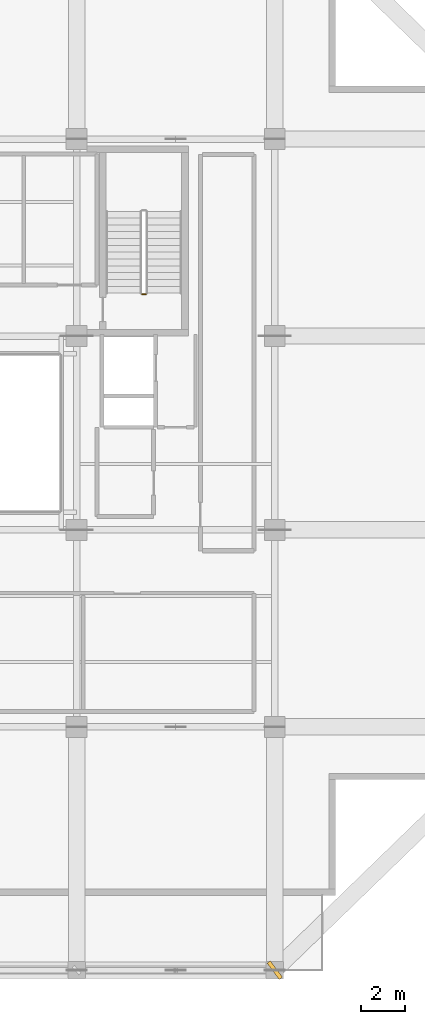
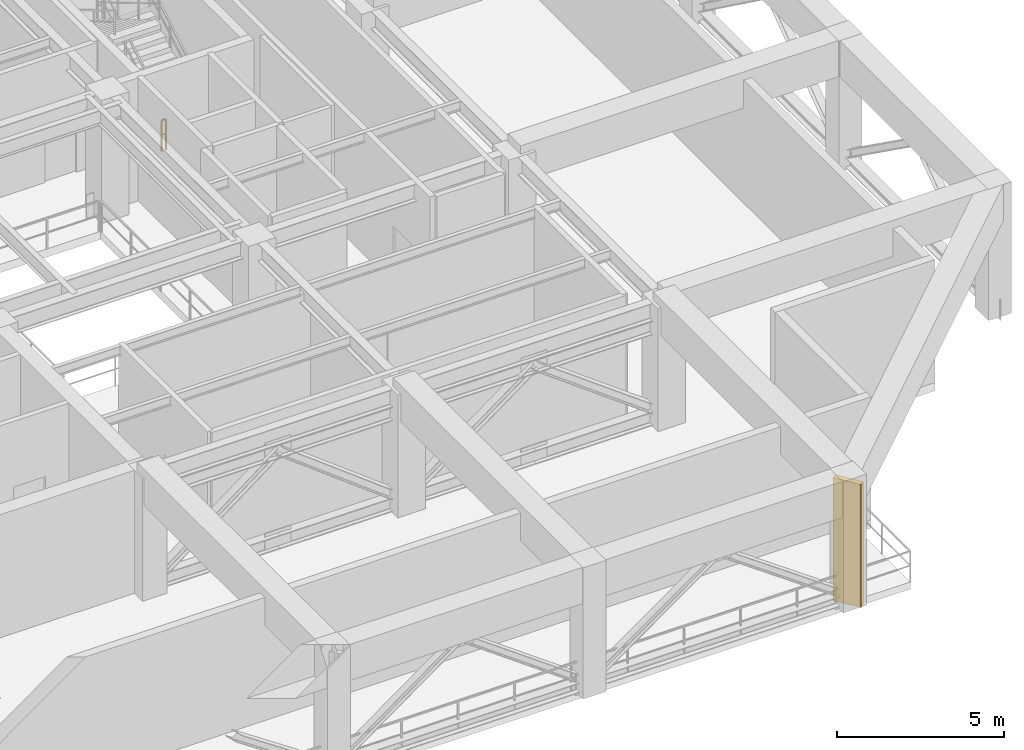
# One storey, part 9 of 10: 1 railing, 1 shading device.
"""IFC4 building model written with IfcOpenShell, lengths in metres."""

from ifc_helpers import new_model, si_unit, direction, frame, origin, origin_2d, place, context, subcontext, project, spatial, rectangle, extrude, material, type_object, element, save


model = new_model("IFC4")

# Units and contexts
model_context = context("Model", 3, precision=1e-05, world=origin(), true_north=direction((0.0, 1.0)))
body_context = subcontext(model_context, "Body", "Model", "MODEL_VIEW")
ifc_project = project(units=[si_unit("LENGTHUNIT", "METRE"), si_unit("AREAUNIT", "SQUARE_METRE"), si_unit("VOLUMEUNIT", "CUBIC_METRE"), si_unit("PLANEANGLEUNIT", "RADIAN"), si_unit("MASSUNIT", "GRAM", prefix="KILO")], contexts=[model_context])

# Site, building, storey
site_placement = place(None, origin())
site = spatial("IfcSite", under=ifc_project, at=site_placement, CompositionType="ELEMENT")
building_placement = place(site_placement, origin())
building = spatial("IfcBuilding", under=site, at=building_placement, Name="Kundavana Baori Tower", CompositionType="ELEMENT")
storey_placement = place(building_placement, frame((0.0, 0.0, 204.10009765625)))
storey = spatial("IfcBuildingStorey", under=building, at=storey_placement, Name="L50", CompositionType="ELEMENT", Elevation=204.10009765625)

# Railing
ifc_material_1 = material(Name="Architectural Patinated Bronze Metalwork")
railing_type = type_object("IfcRailingType", Name="RL-GRD-1150", PredefinedType="GUARDRAIL", material=ifc_material_1)
railing_placement = place(storey_placement, frame((36.929931640625, 34.89990234375, 0.0)))
element("IfcRailing", 1, at=railing_placement, inside=storey, type_object=railing_type, Name="L50 ST3 stair guard 4", PredefinedType="GUARDRAIL", context=body_context, shape_type="SweptSolid", body=[
    extrude(rectangle(XDim=0.048095703125, YDim=0.048095703125, at=origin_2d()), frame((0.0, 0.0, 1.1259765625), z_axis=(-1.0, 0.0, 0.0), x_axis=(0.0, -1.0, 0.0)), (0.0, 0.0, 1.0), 0.159912109375),
    extrude(rectangle(XDim=0.03125, YDim=0.03125, at=origin_2d()), frame((0.0, 0.0, 0.597900390625), z_axis=(-1.0, 0.0, 0.0), x_axis=(0.0, -1.0, 0.0)), (0.0, 0.0, 1.0), 0.159912109375),
    extrude(rectangle(XDim=0.0419921875, YDim=0.0419921875, at=origin_2d()), origin(), (0.0, 0.0, 1.0), 1.101806640625),
    extrude(rectangle(XDim=0.0419921875, YDim=0.0419921875, at=origin_2d()), frame((-0.159912109375, 0.0, 0.0)), (0.0, 0.0, 1.0), 1.101806640625),
])

# Shading device
ifc_material_2 = material(Name="Red-Buff Dholpur Sandstone Cladding on Concrete C40/50", Category="masonry")
shading_device_type = type_object("IfcShadingDeviceType", Name="SHD-FIN-920", PredefinedType="JALOUSIE", material=ifc_material_2)
shading_device_placement = place(storey_placement, frame((42.800048828125, 4.199951171875, 0.0), z_axis=(0.0, 0.0, 1.0), x_axis=(0.801566984871, 0.597904983058, 0.0)))
element("IfcShadingDevice", 2, at=shading_device_placement, inside=storey, type_object=shading_device_type, Name="L50 Sweeping Dholpur Sandstone Facade Fin 4", PredefinedType="JALOUSIE", context=body_context, shape_type="SweptSolid", body=[
    extrude(rectangle(XDim=0.179931640625, YDim=0.919921875, at=origin_2d()), origin(), (0.0, 0.0, 1.0), 4.5),
])

save(model, "model.ifc")
